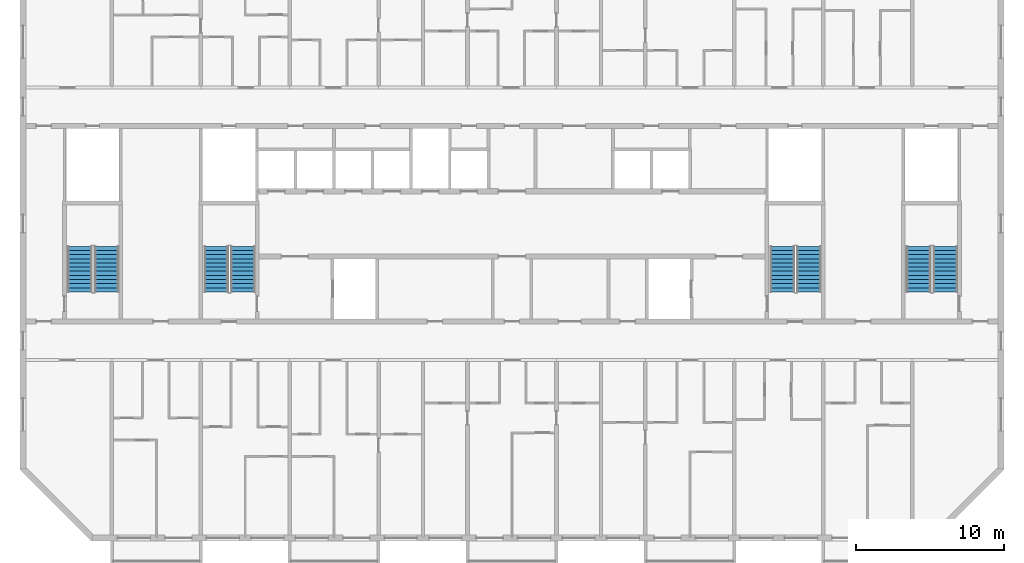
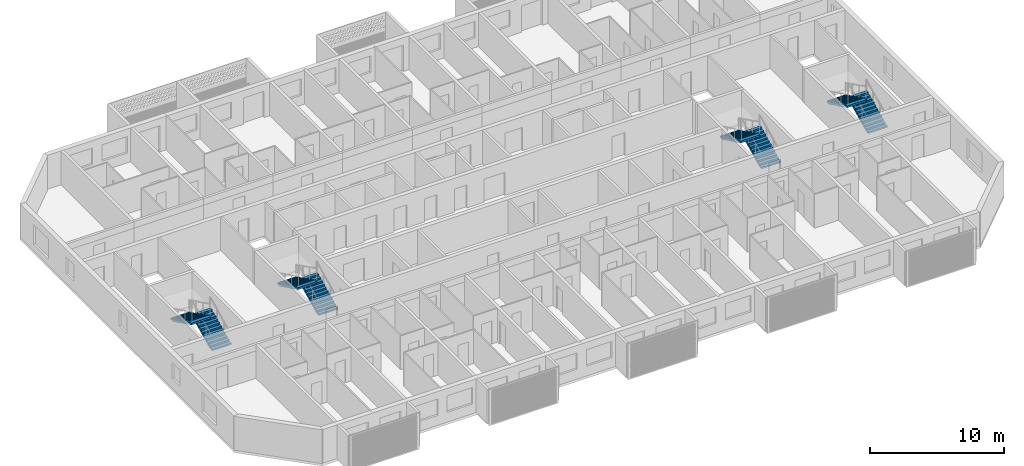
# One storey, part 11 of 26: 8 stair flights, 4 elements without a shape of their own.
"""IFC4 building model written with IfcOpenShell, lengths in metres."""

from ifc_helpers import new_model, si_unit, direction, frame, origin, place, context, subcontext, project, spatial, polyline, outline, extrude, material, layer, layer_set, type_object, element, aggregate, save


model = new_model("IFC4")

# Units and contexts
model_context = context("Model", 3, precision=1e-05, world=origin(), true_north=direction((0.0, 1.0)))
body_context = subcontext(model_context, "Body", "Model", "MODEL_VIEW")
ifc_project = project(units=[si_unit("LENGTHUNIT", "METRE"), si_unit("AREAUNIT", "SQUARE_METRE"), si_unit("VOLUMEUNIT", "CUBIC_METRE"), si_unit("PLANEANGLEUNIT", "RADIAN"), si_unit("MASSUNIT", "GRAM", prefix="KILO")], contexts=[model_context])

# Site, building, storey
site_placement = place(None, origin())
site = spatial("IfcSite", under=ifc_project, at=site_placement, CompositionType="ELEMENT")
building_placement = place(site_placement, origin())
building = spatial("IfcBuilding", under=site, at=building_placement, Name="Poui Terraces", CompositionType="ELEMENT")
storey_placement = place(building_placement, frame((0.0, 0.0, 224.699951171875)))
storey = spatial("IfcBuildingStorey", under=building, at=storey_placement, Name="L62", CompositionType="ELEMENT", Elevation=224.699951171875)

# Stair, stair flights
ifc_material = material(Name="Concrete 50 MPa", Category="concrete")
stair_type = type_object("IfcStairType", Name="EXIT STAIR 1650 50 MPA", PredefinedType="HALF_TURN_STAIR", material=ifc_material)
stair_1_placement = place(storey_placement, origin())
stair_1 = element("IfcStair", 1, at=stair_1_placement, inside=storey, type_object=stair_type, Name="L62 CORE STAIR EAST", PredefinedType="HALF_TURN_STAIR")
ifc_layer = layer(ifc_material, 0.14990234375)
ifc_layer_set = layer_set([ifc_layer], Name="Concrete 50 MPa")
stair_flight_type = type_object("IfcStairFlightType", Name="STAIR FLIGHT 12 RISERS 138 RISE 50 MPA", PredefinedType="STRAIGHT", material=ifc_layer_set)
stair_flight_1_placement = place(storey_placement, frame((71.050048828125, 16.60009765625, 0.0), z_axis=(0.0, 0.0, 1.0), x_axis=(0.0, 1.0, 0.0)))
stair_flight_1 = element("IfcStairFlight", 2, at=stair_flight_1_placement, type_object=stair_flight_type, Name="ST-CE flight 1", NumberOfRisers=12, NumberOfTreads=11, PredefinedType="STRAIGHT", RiserHeight=0.1375, TreadLength=0.28, context=body_context, shape_type="SweptSolid", body=[
    extrude(outline(polyline([(0.0, 0.0), (0.0, 0.137451171875), (0.280029296875, 0.137451171875), (0.280029296875, 0.27490234375), (0.56005859375, 0.27490234375), (0.56005859375, 0.41259765625), (0.840087890625, 0.41259765625), (0.840087890625, 0.550048828125), (1.1201171875, 0.550048828125), (1.1201171875, 0.6875), (1.39990234375, 0.6875), (1.39990234375, 0.824951171875), (1.679931640625, 0.824951171875), (1.679931640625, 0.96240234375), (1.9599609375, 0.96240234375), (1.9599609375, 1.10009765625), (2.239990234375, 1.10009765625), (2.239990234375, 1.237548828125), (2.52001953125, 1.237548828125), (2.52001953125, 1.375), (2.800048828125, 1.375), (2.800048828125, 1.512451171875), (3.080078125, 1.512451171875), (3.080078125, 1.64990234375), (3.080078125, 1.345458984375), (0.340087890625, 0.0), (0.0, 0.0)])), frame((0.0, 0.824951171875, 0.0), z_axis=(0.0, -1.0, 0.0), x_axis=(1.0, 0.0, 0.0)), (0.0, 0.0, 1.0), 1.64990234375),
])
stair_flight_2_placement = place(storey_placement, frame((69.25, 19.679931640625, 1.650146484375), z_axis=(0.0, 0.0, 1.0), x_axis=(0.0, -1.0, 0.0)))
stair_flight_2 = element("IfcStairFlight", 3, at=stair_flight_2_placement, type_object=stair_flight_type, Name="ST-CE flight 2", NumberOfRisers=12, NumberOfTreads=11, PredefinedType="STRAIGHT", RiserHeight=0.1375, TreadLength=0.28, context=body_context, shape_type="SweptSolid", body=[
    extrude(outline(polyline([(0.0, 0.0), (0.0, 0.137451171875), (0.280029296875, 0.137451171875), (0.280029296875, 0.27490234375), (0.56005859375, 0.27490234375), (0.56005859375, 0.41259765625), (0.840087890625, 0.41259765625), (0.840087890625, 0.550048828125), (1.1201171875, 0.550048828125), (1.1201171875, 0.6875), (1.39990234375, 0.6875), (1.39990234375, 0.824951171875), (1.679931640625, 0.824951171875), (1.679931640625, 0.96240234375), (1.9599609375, 0.96240234375), (1.9599609375, 1.10009765625), (2.239990234375, 1.10009765625), (2.239990234375, 1.237548828125), (2.52001953125, 1.237548828125), (2.52001953125, 1.375), (2.800048828125, 1.375), (2.800048828125, 1.512451171875), (3.080078125, 1.512451171875), (3.080078125, 1.64990234375), (3.080078125, 1.345458984375), (0.340087890625, 0.0), (0.0, 0.0)])), frame((0.0, 0.824951171875, 0.0), z_axis=(0.0, -1.0, 0.0), x_axis=(1.0, 0.0, 0.0)), (0.0, 0.0, 1.0), 1.64990234375),
])
aggregate(stair_1, [stair_flight_1, stair_flight_2])

stair_2_placement = place(storey_placement, origin())
stair_2 = element("IfcStair", 4, at=stair_2_placement, inside=storey, type_object=stair_type, Name="L62 CORE STAIR WEST", PredefinedType="HALF_TURN_STAIR")
stair_flight_3_placement = place(storey_placement, frame((32.85009765625, 16.60009765625, 0.0), z_axis=(0.0, 0.0, 1.0), x_axis=(0.0, 1.0, 0.0)))
stair_flight_3 = element("IfcStairFlight", 5, at=stair_flight_3_placement, type_object=stair_flight_type, Name="ST-CW flight 1", NumberOfRisers=12, NumberOfTreads=11, PredefinedType="STRAIGHT", RiserHeight=0.1375, TreadLength=0.28, context=body_context, shape_type="SweptSolid", body=[
    extrude(outline(polyline([(0.0, 0.0), (0.0, 0.137451171875), (0.280029296875, 0.137451171875), (0.280029296875, 0.27490234375), (0.56005859375, 0.27490234375), (0.56005859375, 0.41259765625), (0.840087890625, 0.41259765625), (0.840087890625, 0.550048828125), (1.1201171875, 0.550048828125), (1.1201171875, 0.6875), (1.39990234375, 0.6875), (1.39990234375, 0.824951171875), (1.679931640625, 0.824951171875), (1.679931640625, 0.96240234375), (1.9599609375, 0.96240234375), (1.9599609375, 1.10009765625), (2.239990234375, 1.10009765625), (2.239990234375, 1.237548828125), (2.52001953125, 1.237548828125), (2.52001953125, 1.375), (2.800048828125, 1.375), (2.800048828125, 1.512451171875), (3.080078125, 1.512451171875), (3.080078125, 1.64990234375), (3.080078125, 1.345458984375), (0.340087890625, 0.0), (0.0, 0.0)])), frame((0.0, 0.824951171875, 0.0), z_axis=(0.0, -1.0, 0.0), x_axis=(1.0, 0.0, 0.0)), (0.0, 0.0, 1.0), 1.64990234375),
])
stair_flight_4_placement = place(storey_placement, frame((31.050048828125, 19.679931640625, 1.650146484375), z_axis=(0.0, 0.0, 1.0), x_axis=(0.0, -1.0, 0.0)))
stair_flight_4 = element("IfcStairFlight", 6, at=stair_flight_4_placement, type_object=stair_flight_type, Name="ST-CW flight 2", NumberOfRisers=12, NumberOfTreads=11, PredefinedType="STRAIGHT", RiserHeight=0.1375, TreadLength=0.28, context=body_context, shape_type="SweptSolid", body=[
    extrude(outline(polyline([(0.0, 0.0), (0.0, 0.137451171875), (0.280029296875, 0.137451171875), (0.280029296875, 0.27490234375), (0.56005859375, 0.27490234375), (0.56005859375, 0.41259765625), (0.840087890625, 0.41259765625), (0.840087890625, 0.550048828125), (1.1201171875, 0.550048828125), (1.1201171875, 0.6875), (1.39990234375, 0.6875), (1.39990234375, 0.824951171875), (1.679931640625, 0.824951171875), (1.679931640625, 0.96240234375), (1.9599609375, 0.96240234375), (1.9599609375, 1.10009765625), (2.239990234375, 1.10009765625), (2.239990234375, 1.237548828125), (2.52001953125, 1.237548828125), (2.52001953125, 1.375), (2.800048828125, 1.375), (2.800048828125, 1.512451171875), (3.080078125, 1.512451171875), (3.080078125, 1.64990234375), (3.080078125, 1.345458984375), (0.340087890625, 0.0), (0.0, 0.0)])), frame((0.0, 0.824951171875, 0.0), z_axis=(0.0, -1.0, 0.0), x_axis=(1.0, 0.0, 0.0)), (0.0, 0.0, 1.0), 1.64990234375),
])
aggregate(stair_2, [stair_flight_3, stair_flight_4])

stair_3_placement = place(storey_placement, origin())
stair_3 = element("IfcStair", 7, at=stair_3_placement, inside=storey, type_object=stair_type, Name="L62 TIP STAIR EAST", PredefinedType="HALF_TURN_STAIR")
stair_flight_5_placement = place(storey_placement, frame((80.25, 16.60009765625, 0.0), z_axis=(0.0, 0.0, 1.0), x_axis=(0.0, 1.0, 0.0)))
stair_flight_5 = element("IfcStairFlight", 8, at=stair_flight_5_placement, type_object=stair_flight_type, Name="ST-E flight 1", NumberOfRisers=12, NumberOfTreads=11, PredefinedType="STRAIGHT", RiserHeight=0.1375, TreadLength=0.28, context=body_context, shape_type="SweptSolid", body=[
    extrude(outline(polyline([(0.0, 0.0), (0.0, 0.137451171875), (0.280029296875, 0.137451171875), (0.280029296875, 0.27490234375), (0.56005859375, 0.27490234375), (0.56005859375, 0.41259765625), (0.840087890625, 0.41259765625), (0.840087890625, 0.550048828125), (1.1201171875, 0.550048828125), (1.1201171875, 0.6875), (1.39990234375, 0.6875), (1.39990234375, 0.824951171875), (1.679931640625, 0.824951171875), (1.679931640625, 0.96240234375), (1.9599609375, 0.96240234375), (1.9599609375, 1.10009765625), (2.239990234375, 1.10009765625), (2.239990234375, 1.237548828125), (2.52001953125, 1.237548828125), (2.52001953125, 1.375), (2.800048828125, 1.375), (2.800048828125, 1.512451171875), (3.080078125, 1.512451171875), (3.080078125, 1.64990234375), (3.080078125, 1.345458984375), (0.340087890625, 0.0), (0.0, 0.0)])), frame((0.0, 0.824951171875, 0.0), z_axis=(0.0, -1.0, 0.0), x_axis=(1.0, 0.0, 0.0)), (0.0, 0.0, 1.0), 1.64990234375),
])
stair_flight_6_placement = place(storey_placement, frame((78.449951171875, 19.679931640625, 1.650146484375), z_axis=(0.0, 0.0, 1.0), x_axis=(0.0, -1.0, 0.0)))
stair_flight_6 = element("IfcStairFlight", 9, at=stair_flight_6_placement, type_object=stair_flight_type, Name="ST-E flight 2", NumberOfRisers=12, NumberOfTreads=11, PredefinedType="STRAIGHT", RiserHeight=0.1375, TreadLength=0.28, context=body_context, shape_type="SweptSolid", body=[
    extrude(outline(polyline([(0.0, 0.0), (0.0, 0.137451171875), (0.280029296875, 0.137451171875), (0.280029296875, 0.27490234375), (0.56005859375, 0.27490234375), (0.56005859375, 0.41259765625), (0.840087890625, 0.41259765625), (0.840087890625, 0.550048828125), (1.1201171875, 0.550048828125), (1.1201171875, 0.6875), (1.39990234375, 0.6875), (1.39990234375, 0.824951171875), (1.679931640625, 0.824951171875), (1.679931640625, 0.96240234375), (1.9599609375, 0.96240234375), (1.9599609375, 1.10009765625), (2.239990234375, 1.10009765625), (2.239990234375, 1.237548828125), (2.52001953125, 1.237548828125), (2.52001953125, 1.375), (2.800048828125, 1.375), (2.800048828125, 1.512451171875), (3.080078125, 1.512451171875), (3.080078125, 1.64990234375), (3.080078125, 1.345458984375), (0.340087890625, 0.0), (0.0, 0.0)])), frame((0.0, 0.824951171875, 0.0), z_axis=(0.0, -1.0, 0.0), x_axis=(1.0, 0.0, 0.0)), (0.0, 0.0, 1.0), 1.64990234375),
])
aggregate(stair_3, [stair_flight_5, stair_flight_6])

stair_4_placement = place(storey_placement, origin())
stair_4 = element("IfcStair", 10, at=stair_4_placement, inside=storey, type_object=stair_type, Name="L62 TIP STAIR WEST", PredefinedType="HALF_TURN_STAIR")
stair_flight_7_placement = place(storey_placement, frame((23.64990234375, 16.60009765625, 0.0), z_axis=(0.0, 0.0, 1.0), x_axis=(0.0, 1.0, 0.0)))
stair_flight_7 = element("IfcStairFlight", 11, at=stair_flight_7_placement, type_object=stair_flight_type, Name="ST-W flight 1", NumberOfRisers=12, NumberOfTreads=11, PredefinedType="STRAIGHT", RiserHeight=0.1375, TreadLength=0.28, context=body_context, shape_type="SweptSolid", body=[
    extrude(outline(polyline([(0.0, 0.0), (0.0, 0.137451171875), (0.280029296875, 0.137451171875), (0.280029296875, 0.27490234375), (0.56005859375, 0.27490234375), (0.56005859375, 0.41259765625), (0.840087890625, 0.41259765625), (0.840087890625, 0.550048828125), (1.1201171875, 0.550048828125), (1.1201171875, 0.6875), (1.39990234375, 0.6875), (1.39990234375, 0.824951171875), (1.679931640625, 0.824951171875), (1.679931640625, 0.96240234375), (1.9599609375, 0.96240234375), (1.9599609375, 1.10009765625), (2.239990234375, 1.10009765625), (2.239990234375, 1.237548828125), (2.52001953125, 1.237548828125), (2.52001953125, 1.375), (2.800048828125, 1.375), (2.800048828125, 1.512451171875), (3.080078125, 1.512451171875), (3.080078125, 1.64990234375), (3.080078125, 1.345458984375), (0.340087890625, 0.0), (0.0, 0.0)])), frame((0.0, 0.824951171875, 0.0), z_axis=(0.0, -1.0, 0.0), x_axis=(1.0, 0.0, 0.0)), (0.0, 0.0, 1.0), 1.64990234375),
])
stair_flight_8_placement = place(storey_placement, frame((21.85009765625, 19.679931640625, 1.650146484375), z_axis=(0.0, 0.0, 1.0), x_axis=(0.0, -1.0, 0.0)))
stair_flight_8 = element("IfcStairFlight", 12, at=stair_flight_8_placement, type_object=stair_flight_type, Name="ST-W flight 2", NumberOfRisers=12, NumberOfTreads=11, PredefinedType="STRAIGHT", RiserHeight=0.1375, TreadLength=0.28, context=body_context, shape_type="SweptSolid", body=[
    extrude(outline(polyline([(0.0, 0.0), (0.0, 0.137451171875), (0.280029296875, 0.137451171875), (0.280029296875, 0.27490234375), (0.56005859375, 0.27490234375), (0.56005859375, 0.41259765625), (0.840087890625, 0.41259765625), (0.840087890625, 0.550048828125), (1.1201171875, 0.550048828125), (1.1201171875, 0.6875), (1.39990234375, 0.6875), (1.39990234375, 0.824951171875), (1.679931640625, 0.824951171875), (1.679931640625, 0.96240234375), (1.9599609375, 0.96240234375), (1.9599609375, 1.10009765625), (2.239990234375, 1.10009765625), (2.239990234375, 1.237548828125), (2.52001953125, 1.237548828125), (2.52001953125, 1.375), (2.800048828125, 1.375), (2.800048828125, 1.512451171875), (3.080078125, 1.512451171875), (3.080078125, 1.64990234375), (3.080078125, 1.345458984375), (0.340087890625, 0.0), (0.0, 0.0)])), frame((0.0, 0.824951171875, 0.0), z_axis=(0.0, -1.0, 0.0), x_axis=(1.0, 0.0, 0.0)), (0.0, 0.0, 1.0), 1.64990234375),
])
aggregate(stair_4, [stair_flight_7, stair_flight_8])

save(model, "model.ifc")
